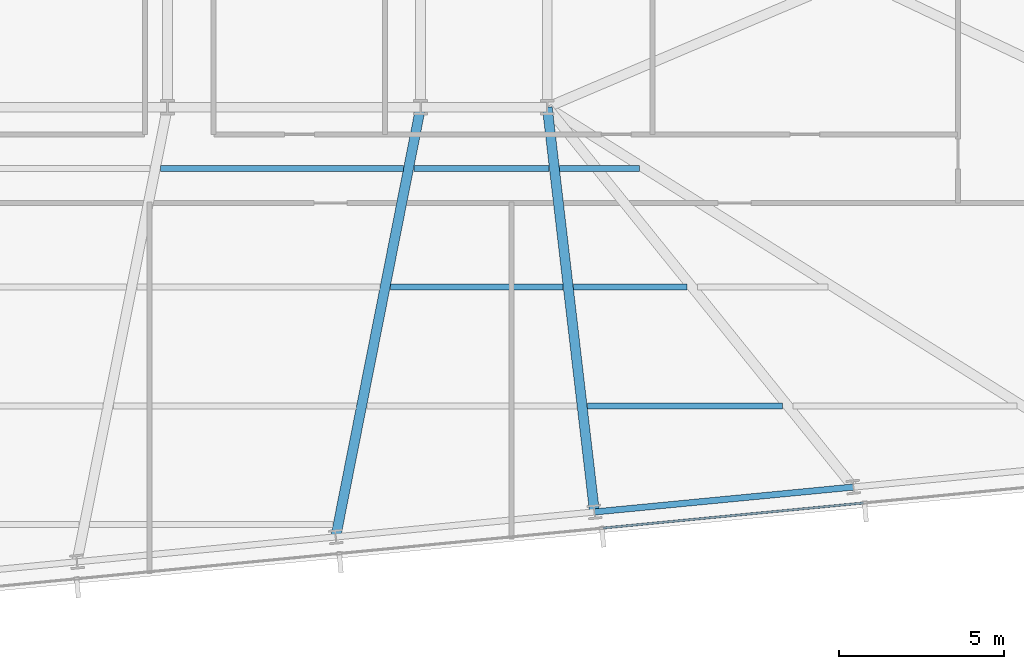
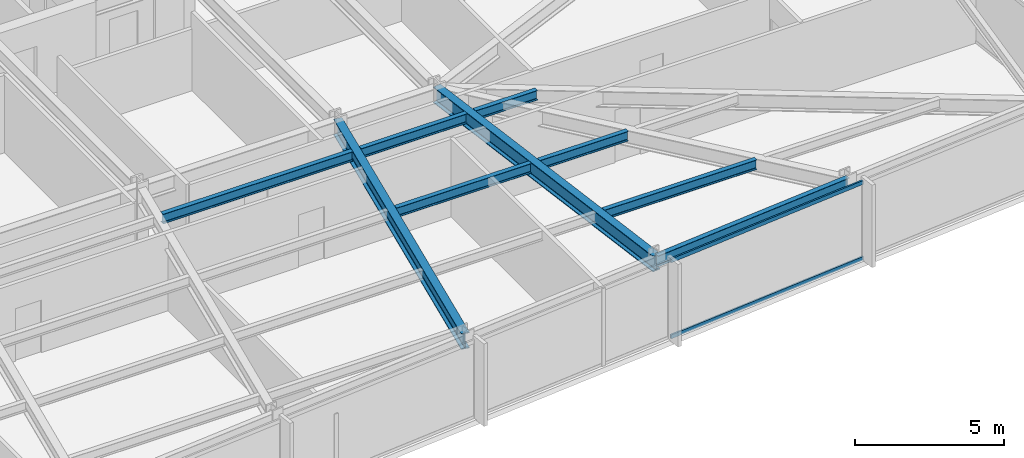
# One storey, part 11 of 32: 9 beams, 2 members, 1 element without a shape of its own.
"""IFC4 building model written with IfcOpenShell, lengths in metres."""

from ifc_helpers import new_model, si_unit, direction, frame, origin, origin_2d, place, context, subcontext, project, spatial, hollow_rectangle, i_section, extrude, material, material_profile, profile_set, type_object, element, aggregate, save


model = new_model("IFC4")

# Units and contexts
model_context = context("Model", 3, precision=1e-05, world=origin(), true_north=direction((0.0, 1.0)))
body_context = subcontext(model_context, "Body", "Model", "MODEL_VIEW")
ifc_project = project(units=[si_unit("LENGTHUNIT", "METRE"), si_unit("AREAUNIT", "SQUARE_METRE"), si_unit("VOLUMEUNIT", "CUBIC_METRE"), si_unit("PLANEANGLEUNIT", "RADIAN"), si_unit("MASSUNIT", "GRAM", prefix="KILO")], contexts=[model_context])

# Site, building, storey
site_placement = place(None, origin())
site = spatial("IfcSite", under=ifc_project, at=site_placement, CompositionType="ELEMENT")
building_placement = place(site_placement, origin())
building = spatial("IfcBuilding", under=site, at=building_placement, Name="Yelkora Congress Tower", CompositionType="ELEMENT")
storey_placement = place(building_placement, frame((0.0, 0.0, 99.89990234375)))
storey = spatial("IfcBuildingStorey", under=building, at=storey_placement, Name="L26", CompositionType="ELEMENT", Elevation=99.89990234375)

# Beams
ifc_material_1 = material(Name="Steel S355J2", Category="steel")
ifc_material_profile_1 = material_profile(ifc_material_1, i_section(OverallWidth=0.300048828125, OverallDepth=0.64990234375, WebThickness=0.01611328125, FlangeThickness=0.031005859375, FilletRadius=0.027099609375, at=origin_2d()), Name="HEB 650")
ifc_profile_set_1 = profile_set([ifc_material_profile_1], Name="Steel S355J2")
beam_type_1 = type_object("IfcBeamType", Name="BM-GIRD-HEB650", PredefinedType="BEAM", material=ifc_profile_set_1)
beam_1_placement = place(storey_placement, frame((51.18359375, 12.16748046875, 2.85498046875), z_axis=(0.193938615251, 0.981013666324, 0.0), x_axis=(-0.981013666324, 0.193938615251, 0.0)))
element("IfcBeam", 1, at=beam_1_placement, inside=storey, type_object=beam_type_1, Name="L26 Primary Frame Girder S05", PredefinedType="BEAM", context=body_context, shape_type="SweptSolid", body=[
    extrude(i_section(OverallWidth=0.300048828125, OverallDepth=0.64990234375, WebThickness=0.01611328125, FlangeThickness=0.031005859375, FilletRadius=0.027099609375, at=origin_2d()), origin(), (0.0, 0.0, 1.0), 13.28466796875),
])
beam_2_placement = place(storey_placement, frame((59.033203125, 12.92333984375, 2.85498046875), z_axis=(-0.115947280821, 0.993255369011, 0.0), x_axis=(-0.993255369011, -0.115947280821, 0.0)))
element("IfcBeam", 2, at=beam_2_placement, inside=storey, type_object=beam_type_1, Name="L26 Primary Frame Girder S06", PredefinedType="BEAM", context=body_context, shape_type="SweptSolid", body=[
    extrude(i_section(OverallWidth=0.300048828125, OverallDepth=0.64990234375, WebThickness=0.01611328125, FlangeThickness=0.031005859375, FilletRadius=0.027099609375, at=origin_2d()), origin(), (0.0, 0.0, 1.0), 12.35986328125),
])
ifc_material_profile_2 = material_profile(ifc_material_1, i_section(OverallWidth=0.179931640625, OverallDepth=0.39990234375, WebThickness=0.008544921875, FlangeThickness=0.013427734375, FilletRadius=0.02099609375, at=origin_2d()), Name="IPE 400")
ifc_profile_set_2 = profile_set([ifc_material_profile_2], Name="Steel S355J2")
beam_type_2 = type_object("IfcBeamType", Name="BM-JOIST-IPE400", PredefinedType="JOIST", material=ifc_profile_set_2)
beam_3_placement = place(storey_placement, frame((58.817138671875, 16.144287109375, 2.97998046875), z_axis=(1.0, 0.0, 0.0), x_axis=(0.0, 1.0, 0.0)))
element("IfcBeam", 3, at=beam_3_placement, inside=storey, type_object=beam_type_2, Name="L26 Composite Floor Joist 9", PredefinedType="JOIST", context=body_context, shape_type="SweptSolid", body=[
    extrude(i_section(OverallWidth=0.179931640625, OverallDepth=0.39990234375, WebThickness=0.008544921875, FlangeThickness=0.013427734375, FilletRadius=0.02099609375, at=origin_2d()), origin(), (0.0, 0.0, 1.0), 5.919189453125),
])
beam_4_placement = place(storey_placement, frame((52.841552734375, 19.744384765625, 2.97998046875), z_axis=(1.0, 0.0, 0.0), x_axis=(0.0, 1.0, 0.0)))
element("IfcBeam", 4, at=beam_4_placement, inside=storey, type_object=beam_type_2, Name="L26 Composite Floor Joist 15", PredefinedType="JOIST", context=body_context, shape_type="SweptSolid", body=[
    extrude(i_section(OverallWidth=0.179931640625, OverallDepth=0.39990234375, WebThickness=0.008544921875, FlangeThickness=0.013427734375, FilletRadius=0.02099609375, at=origin_2d()), origin(), (0.0, 0.0, 1.0), 5.2353515625),
])
beam_5_placement = place(storey_placement, frame((58.39697265625, 19.744384765625, 2.97998046875), z_axis=(1.0, 0.0, 0.0), x_axis=(0.0, 1.0, 0.0)))
element("IfcBeam", 5, at=beam_5_placement, inside=storey, type_object=beam_type_2, Name="L26 Composite Floor Joist 16", PredefinedType="JOIST", context=body_context, shape_type="SweptSolid", body=[
    extrude(i_section(OverallWidth=0.179931640625, OverallDepth=0.39990234375, WebThickness=0.008544921875, FlangeThickness=0.013427734375, FilletRadius=0.02099609375, at=origin_2d()), origin(), (0.0, 0.0, 1.0), 3.438720703125),
])
beam_6_placement = place(storey_placement, frame((45.87060546875, 23.344482421875, 2.97998046875), z_axis=(1.0, 0.0, 0.0), x_axis=(0.0, 1.0, 0.0)))
element("IfcBeam", 6, at=beam_6_placement, inside=storey, type_object=beam_type_2, Name="L26 Composite Floor Joist 21", PredefinedType="JOIST", context=body_context, shape_type="SweptSolid", body=[
    extrude(i_section(OverallWidth=0.179931640625, OverallDepth=0.39990234375, WebThickness=0.008544921875, FlangeThickness=0.013427734375, FilletRadius=0.02099609375, at=origin_2d()), origin(), (0.0, 0.0, 1.0), 7.362548828125),
])
beam_7_placement = place(storey_placement, frame((53.55322265625, 23.344482421875, 2.97998046875), z_axis=(1.0, 0.0, 0.0), x_axis=(0.0, 1.0, 0.0)))
element("IfcBeam", 7, at=beam_7_placement, inside=storey, type_object=beam_type_2, Name="L26 Composite Floor Joist 22", PredefinedType="JOIST", context=body_context, shape_type="SweptSolid", body=[
    extrude(i_section(OverallWidth=0.179931640625, OverallDepth=0.39990234375, WebThickness=0.008544921875, FlangeThickness=0.013427734375, FilletRadius=0.02099609375, at=origin_2d()), origin(), (0.0, 0.0, 1.0), 4.103271484375),
])
beam_8_placement = place(storey_placement, frame((57.9765625, 23.344482421875, 2.97998046875), z_axis=(1.0, 0.0, 0.0), x_axis=(0.0, 1.0, 0.0)))
element("IfcBeam", 8, at=beam_8_placement, inside=storey, type_object=beam_type_2, Name="L26 Composite Floor Joist 23", PredefinedType="JOIST", context=body_context, shape_type="SweptSolid", body=[
    extrude(i_section(OverallWidth=0.179931640625, OverallDepth=0.39990234375, WebThickness=0.008544921875, FlangeThickness=0.013427734375, FilletRadius=0.02099609375, at=origin_2d()), origin(), (0.0, 0.0, 1.0), 2.41650390625),
])
ifc_material_profile_3 = material_profile(ifc_material_1, i_section(OverallWidth=0.18994140625, OverallDepth=0.449951171875, WebThickness=0.009521484375, FlangeThickness=0.0146484375, FilletRadius=0.02099609375, at=origin_2d()), Name="IPE 450")
ifc_profile_set_3 = profile_set([ifc_material_profile_3], Name="Steel S355J2")
beam_type_3 = type_object("IfcBeamType", Name="BM-SPAN-IPE450", PredefinedType="SPANDREL", material=ifc_profile_set_3)
beam_9_placement = place(storey_placement, frame((59.033203125, 12.92333984375, 2.955078125), z_axis=(0.995395575667, 0.095852219286, 0.0), x_axis=(-0.095852219286, 0.995395575667, 0.0)))
element("IfcBeam", 9, at=beam_9_placement, inside=storey, type_object=beam_type_3, Name="L26 Perimeter Beam 8", PredefinedType="SPANDREL", context=body_context, shape_type="SweptSolid", body=[
    extrude(i_section(OverallWidth=0.18994140625, OverallDepth=0.449951171875, WebThickness=0.009521484375, FlangeThickness=0.0146484375, FilletRadius=0.02099609375, at=origin_2d()), origin(), (0.0, 0.0, 1.0), 7.8857421875),
])

# Curtain wall, members
ifc_material_2 = material(Name="Anodised aluminium and insulated glass", Category="aluminium")
curtain_wall_type = type_object("IfcCurtainWallType", Name="CW-SYS-B2", PredefinedType="NOTDEFINED", material=ifc_material_2)
curtain_wall_placement = place(storey_placement, origin())
curtain_wall = element("IfcCurtainWall", 10, at=curtain_wall_placement, inside=storey, type_object=curtain_wall_type, Name="L26 Unitised Curtain Wall 20", PredefinedType="NOTDEFINED")
ifc_material_3 = material(Name="Anodised aluminium 6063-T6", Category="aluminium")
ifc_material_profile_4 = material_profile(ifc_material_3, hollow_rectangle(XDim=0.06494140625, YDim=0.159912109375, WallThickness=0.00390625, at=origin_2d()), Name="ALU 65x160x4")
ifc_profile_set_4 = profile_set([ifc_material_profile_4], Name="Anodised aluminium 6063-T6")
member_type = type_object("IfcMemberType", Name="MEM-TR-B2", PredefinedType="USERDEFINED", material=ifc_profile_set_4)
member_1_placement = place(storey_placement, frame((67.18798828125, 13.1962890625, 0.03271484375), z_axis=(-0.995397293396, -0.095834379534, 0.0), x_axis=(0.095834379534, -0.995397293396, 0.0)))
member_1 = element("IfcMember", 11, at=member_1_placement, type_object=member_type, Name="CW-B2 transom 2.1", ObjectType="TRANSOM", PredefinedType="USERDEFINED", context=body_context, shape_type="SweptSolid", body=[
    extrude(hollow_rectangle(XDim=0.06494140625, YDim=0.159912109375, WallThickness=0.00390625, at=origin_2d()), origin(), (0.0, 0.0, 1.0), 7.93310546875),
])
member_2_placement = place(storey_placement, frame((67.18798828125, 13.1962890625, 3.147705078125), z_axis=(-0.995397293396, -0.095834379534, 0.0), x_axis=(0.095834379534, -0.995397293396, 0.0)))
member_2 = element("IfcMember", 12, at=member_2_placement, type_object=member_type, Name="CW-B2 transom 2.2", ObjectType="TRANSOM", PredefinedType="USERDEFINED", context=body_context, shape_type="SweptSolid", body=[
    extrude(hollow_rectangle(XDim=0.06494140625, YDim=0.159912109375, WallThickness=0.00390625, at=origin_2d()), origin(), (0.0, 0.0, 1.0), 7.93310546875),
])
aggregate(curtain_wall, [member_1, member_2])

save(model, "model.ifc")
